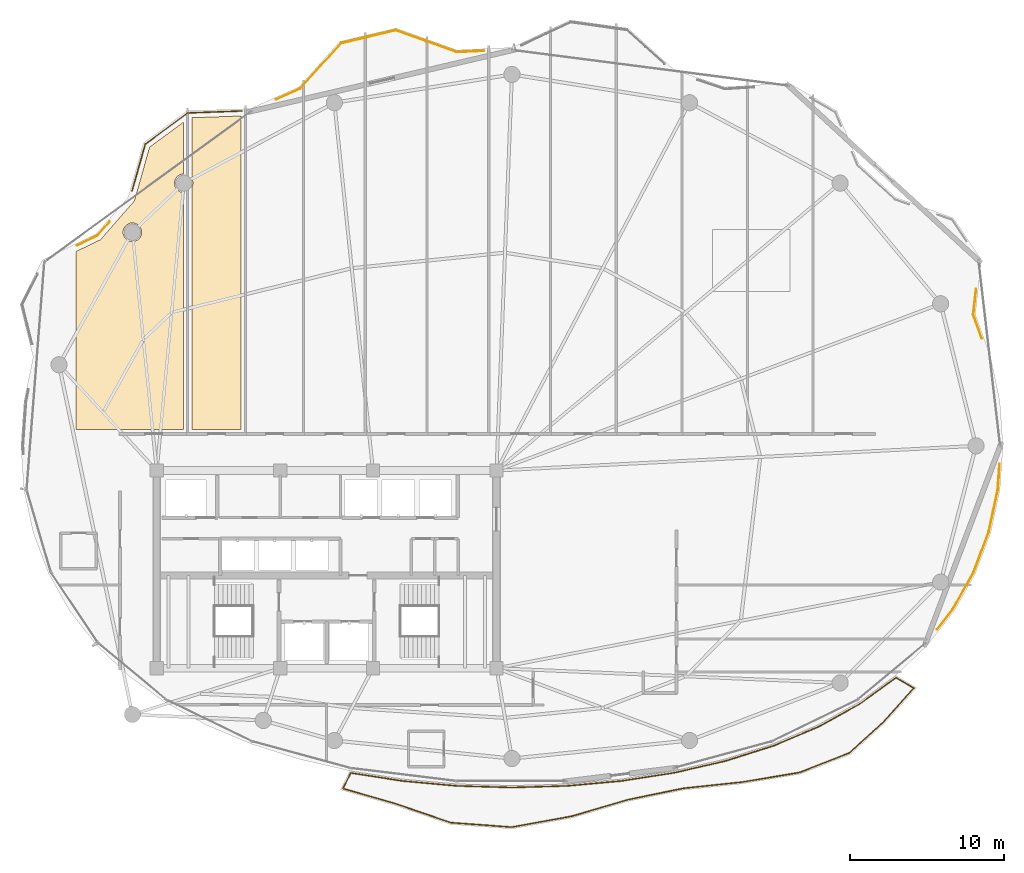
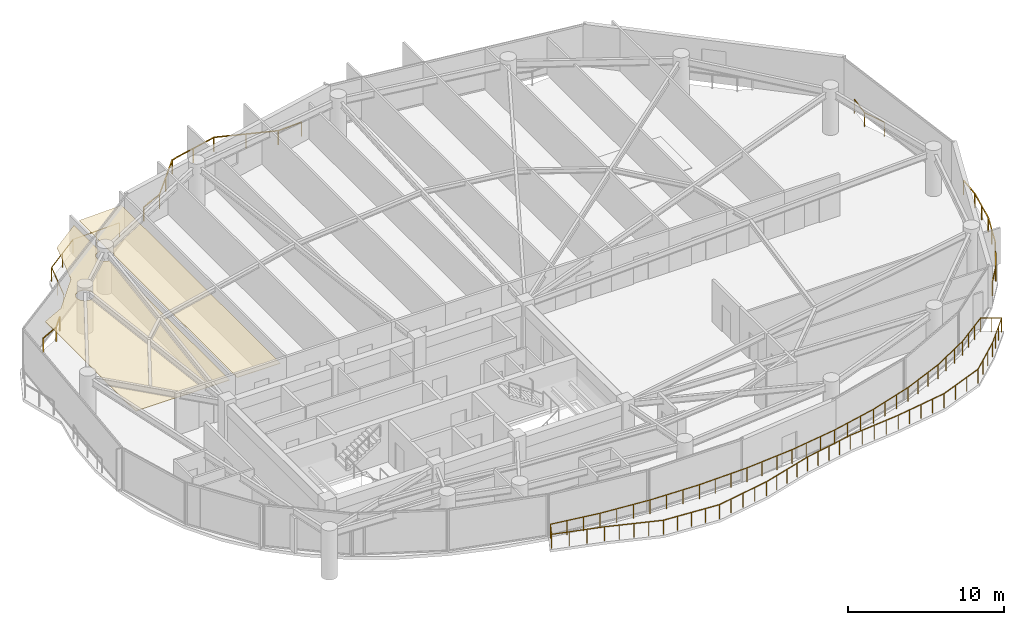
# One storey, part 30 of 31: 6 railings, 2 coverings.
"""IFC4 building model written with IfcOpenShell, lengths in metres."""

from ifc_helpers import new_model, si_unit, direction, frame, origin, origin_2d, place, context, subcontext, project, spatial, polyline, rectangle, outline, extrude, material, layer, layer_set, type_object, element, save


model = new_model("IFC4")

# Units and contexts
model_context = context("Model", 3, precision=1e-05, world=origin(), true_north=direction((0.0, 1.0)))
body_context = subcontext(model_context, "Body", "Model", "MODEL_VIEW")
ifc_project = project(units=[si_unit("LENGTHUNIT", "METRE"), si_unit("AREAUNIT", "SQUARE_METRE"), si_unit("VOLUMEUNIT", "CUBIC_METRE"), si_unit("PLANEANGLEUNIT", "RADIAN"), si_unit("MASSUNIT", "GRAM", prefix="KILO")], contexts=[model_context])

# Site, building, storey
site_placement = place(None, origin())
site = spatial("IfcSite", under=ifc_project, at=site_placement, CompositionType="ELEMENT")
building_placement = place(site_placement, origin())
building = spatial("IfcBuilding", under=site, at=building_placement, Name="Kazevale Care Tower and Concert Hall", CompositionType="ELEMENT")
storey_placement = place(building_placement, frame((0.0, 0.0, 187.199951171875)))
storey = spatial("IfcBuildingStorey", under=building, at=storey_placement, Name="L49", CompositionType="ELEMENT", Elevation=187.199951171875)

# Coverings
ifc_material_1 = material(Name="Acoustic Plaster and Hinoki Wood", Category="wood")
ifc_layer = layer(ifc_material_1, 0.0400390625)
ifc_layer_set = layer_set([ifc_layer], Name="Acoustic Plaster and Hinoki Wood")
covering_type = type_object("IfcCoveringType", Name="Acoustic Perforated Wood-Gypsum Ceiling", PredefinedType="CEILING", material=ifc_layer_set)
covering_1_placement = place(storey_placement, frame((0.0, 0.0, 2.630126953125)))
element("IfcCovering", 1, at=covering_1_placement, inside=storey, type_object=covering_type, Name="clg:L49:1", PredefinedType="CEILING", context=body_context, shape_type="SweptSolid", body=[
    extrude(outline(polyline([(18.35888671875, 51.35302734375), (20.552001953125, 53.861083984375), (21.534912109375, 57.344970703125), (23.719970703125, 58.950927734375), (23.719970703125, 55.612060546875), (23.51806640625, 55.569091796875), (23.322021484375, 55.43798828125), (23.19091796875, 55.241943359375), (23.14501953125, 55.010009765625), (23.19091796875, 54.778076171875), (23.322021484375, 54.58203125), (23.51806640625, 54.450927734375), (23.719970703125, 54.407958984375), (23.719970703125, 39.054931640625), (16.780029296875, 39.054931640625), (16.780029296875, 50.589111328125), (18.35888671875, 51.35302734375)]), holes=[polyline([(21.012939453125, 51.947998046875), (20.923095703125, 52.166015625), (20.756103515625, 52.3330078125), (20.5380859375, 52.423095703125), (20.302001953125, 52.423095703125), (20.083984375, 52.3330078125), (19.9169921875, 52.166015625), (19.826904296875, 51.947998046875), (19.826904296875, 51.7119140625), (19.9169921875, 51.493896484375), (20.083984375, 51.326904296875), (20.302001953125, 51.237060546875), (20.5380859375, 51.237060546875), (20.756103515625, 51.326904296875), (20.923095703125, 51.493896484375), (21.012939453125, 51.7119140625), (21.012939453125, 51.947998046875)])]), origin(), (0.0, 0.0, 1.0), 0.0400390625),
])
covering_2_placement = place(storey_placement, frame((0.0, 0.0, 2.630126953125)))
element("IfcCovering", 2, at=covering_2_placement, inside=storey, type_object=covering_type, Name="clg:L49:2", PredefinedType="CEILING", context=body_context, shape_type="SweptSolid", body=[
    extrude(outline(polyline([(27.469970703125, 59.363037109375), (27.469970703125, 39.054931640625), (24.280029296875, 39.054931640625), (24.280029296875, 54.72412109375), (24.35498046875, 55.010009765625), (24.280029296875, 55.2958984375), (24.280029296875, 59.2470703125), (27.469970703125, 59.363037109375)])), origin(), (0.0, 0.0, 1.0), 0.0400390625),
])

# Railings
ifc_material_2 = material(Name="Anodised Bronze Aluminium and Laminated Glass", Category="aluminium")
railing_type = type_object("IfcRailingType", Name="Balcony and Terrace Balustrade 1120", PredefinedType="BALUSTRADE", material=ifc_material_2)
railing_1_placement = place(storey_placement, frame((16.83203125, 50.968994140625, 0.0)))
element("IfcRailing", 3, at=railing_1_placement, inside=storey, type_object=railing_type, Name="rail:L49:perim:3", PredefinedType="BALUSTRADE", context=body_context, shape_type="SweptSolid", body=[
    extrude(rectangle(XDim=0.048095703125, YDim=0.048095703125, at=origin_2d()), frame((0.0, 0.0, 1.09619140625), z_axis=(0.899880965399, 0.436135584553, 0.0), x_axis=(-0.436135584553, 0.899880965399, 0.0)), (0.0, 0.0, 1.0), 1.476806640625),
    extrude(rectangle(XDim=0.048095703125, YDim=0.048095703125, at=origin_2d()), frame((1.328857421875, 0.64404296875, 1.09619140625), z_axis=(0.658533673371, 0.752551261402, 0.0), x_axis=(-0.752551261402, 0.658533673371, 0.0)), (0.0, 0.0, 1.0), 1.189208984375),
    extrude(rectangle(XDim=0.0419921875, YDim=0.0419921875, at=origin_2d()), origin(), (0.0, 0.0, 1.0), 1.072021484375),
    extrude(rectangle(XDim=0.0419921875, YDim=0.0419921875, at=origin_2d()), frame((1.328857421875, 0.64404296875, 0.0)), (0.0, 0.0, 1.0), 1.072021484375),
    extrude(rectangle(XDim=0.0419921875, YDim=0.0419921875, at=origin_2d()), frame((2.112060546875, 1.5390625, 0.0)), (0.0, 0.0, 1.0), 1.072021484375),
])
railing_2_placement = place(storey_placement, frame((20.403076171875, 54.511962890625, 0.0)))
element("IfcRailing", 4, at=railing_2_placement, inside=storey, type_object=railing_type, Name="rail:L49:perim:4", PredefinedType="BALUSTRADE", context=body_context, shape_type="SweptSolid", body=[
    extrude(rectangle(XDim=0.048095703125, YDim=0.048095703125, at=origin_2d()), frame((0.0, 0.0, 1.09619140625), z_axis=(0.27160216444, 0.962409613559, 0.0), x_axis=(-0.962409613559, 0.27160216444, 0.0)), (0.0, 0.0, 1.0), 3.144287109375),
    extrude(rectangle(XDim=0.048095703125, YDim=0.048095703125, at=origin_2d()), frame((0.85400390625, 3.026123046875, 1.09619140625), z_axis=(0.805881115656, 0.592077382973, 0.0), x_axis=(-0.592077382973, 0.805881115656, 0.0)), (0.0, 0.0, 1.0), 3.40966796875),
    extrude(rectangle(XDim=0.048095703125, YDim=0.048095703125, at=origin_2d()), frame((3.601806640625, 5.044921875, 1.09619140625), z_axis=(0.999339175446, 0.036348485787, 0.0), x_axis=(-0.036348485787, 0.999339175446, 0.0)), (0.0, 0.0, 1.0), 3.499267578125),
    extrude(rectangle(XDim=0.0419921875, YDim=0.0419921875, at=origin_2d()), origin(), (0.0, 0.0, 1.0), 1.072021484375),
    extrude(rectangle(XDim=0.0419921875, YDim=0.0419921875, at=origin_2d()), frame((0.427001953125, 1.51318359375, 0.0)), (0.0, 0.0, 1.0), 1.072021484375),
    extrude(rectangle(XDim=0.0419921875, YDim=0.0419921875, at=origin_2d()), frame((0.85400390625, 3.026123046875, 0.0)), (0.0, 0.0, 1.0), 1.072021484375),
    extrude(rectangle(XDim=0.0419921875, YDim=0.0419921875, at=origin_2d()), frame((2.22802734375, 4.03564453125, 0.0)), (0.0, 0.0, 1.0), 1.072021484375),
    extrude(rectangle(XDim=0.0419921875, YDim=0.0419921875, at=origin_2d()), frame((3.601806640625, 5.044921875, 0.0)), (0.0, 0.0, 1.0), 1.072021484375),
    extrude(rectangle(XDim=0.0419921875, YDim=0.0419921875, at=origin_2d()), frame((5.350341796875, 5.1083984375, 0.0)), (0.0, 0.0, 1.0), 1.072021484375),
    extrude(rectangle(XDim=0.0419921875, YDim=0.0419921875, at=origin_2d()), frame((7.098876953125, 5.172119140625, 0.0)), (0.0, 0.0, 1.0), 1.072021484375),
])
railing_3_placement = place(storey_placement, frame((29.737060546875, 60.43505859375, 0.0)))
element("IfcRailing", 5, at=railing_3_placement, inside=storey, type_object=railing_type, Name="rail:L49:perim:5", PredefinedType="BALUSTRADE", context=body_context, shape_type="SweptSolid", body=[
    extrude(rectangle(XDim=0.048095703125, YDim=0.048095703125, at=origin_2d()), frame((0.0, 0.0, 1.09619140625), z_axis=(0.912729386392, 0.408564642641, 0.0), x_axis=(-0.408564642641, 0.912729386392, 0.0)), (0.0, 0.0, 1.0), 1.6982421875),
    extrude(rectangle(XDim=0.048095703125, YDim=0.048095703125, at=origin_2d()), frame((1.550048828125, 0.69384765625, 1.09619140625), z_axis=(0.668500240789, 0.743711925456, 0.0), x_axis=(-0.743711925456, 0.668500240789, 0.0)), (0.0, 0.0, 1.0), 3.950439453125),
    extrude(rectangle(XDim=0.048095703125, YDim=0.048095703125, at=origin_2d()), frame((4.19091796875, 3.6318359375, 1.09619140625), z_axis=(0.97312090779, 0.2302948085, 0.0), x_axis=(-0.2302948085, 0.97312090779, 0.0)), (0.0, 0.0, 1.0), 3.652099609375),
    extrude(rectangle(XDim=0.048095703125, YDim=0.048095703125, at=origin_2d()), frame((7.744873046875, 4.472900390625, 1.09619140625), z_axis=(0.941350252636, -0.337431032749, 0.0), x_axis=(0.337431032749, 0.941350252636, 0.0)), (0.0, 0.0, 1.0), 4.18115234375),
    extrude(rectangle(XDim=0.048095703125, YDim=0.048095703125, at=origin_2d()), frame((11.680908203125, 3.06201171875, 1.09619140625), z_axis=(0.998977358959, 0.045213231333, 0.0), x_axis=(-0.045213231333, 0.998977358959, 0.0)), (0.0, 0.0, 1.0), 1.765625),
    extrude(rectangle(XDim=0.0419921875, YDim=0.0419921875, at=origin_2d()), origin(), (0.0, 0.0, 1.0), 1.072021484375),
    extrude(rectangle(XDim=0.0419921875, YDim=0.0419921875, at=origin_2d()), frame((1.550048828125, 0.69384765625, 0.0)), (0.0, 0.0, 1.0), 1.072021484375),
    extrude(rectangle(XDim=0.0419921875, YDim=0.0419921875, at=origin_2d()), frame((2.87060546875, 2.162841796875, 0.0)), (0.0, 0.0, 1.0), 1.072021484375),
    extrude(rectangle(XDim=0.0419921875, YDim=0.0419921875, at=origin_2d()), frame((4.19091796875, 3.6318359375, 0.0)), (0.0, 0.0, 1.0), 1.072021484375),
    extrude(rectangle(XDim=0.0419921875, YDim=0.0419921875, at=origin_2d()), frame((5.9677734375, 4.05224609375, 0.0)), (0.0, 0.0, 1.0), 1.072021484375),
    extrude(rectangle(XDim=0.0419921875, YDim=0.0419921875, at=origin_2d()), frame((7.744873046875, 4.472900390625, 0.0)), (0.0, 0.0, 1.0), 1.072021484375),
    extrude(rectangle(XDim=0.0419921875, YDim=0.0419921875, at=origin_2d()), frame((9.712890625, 3.767578125, 0.0)), (0.0, 0.0, 1.0), 1.072021484375),
    extrude(rectangle(XDim=0.0419921875, YDim=0.0419921875, at=origin_2d()), frame((11.680908203125, 3.06201171875, 0.0)), (0.0, 0.0, 1.0), 1.072021484375),
    extrude(rectangle(XDim=0.0419921875, YDim=0.0419921875, at=origin_2d()), frame((13.44482421875, 3.141845703125, 0.0)), (0.0, 0.0, 1.0), 1.072021484375),
])
railing_4_placement = place(storey_placement, frame((76.576904296875, 36.81103515625, 0.0)))
element("IfcRailing", 6, at=railing_4_placement, inside=storey, type_object=railing_type, Name="rail:L49:perim:11", PredefinedType="BALUSTRADE", context=body_context, shape_type="SweptSolid", body=[
    extrude(rectangle(XDim=0.048095703125, YDim=0.048095703125, at=origin_2d()), frame((0.0, 0.0, 1.09619140625), z_axis=(-0.069683140934, -0.997569175481, 0.0), x_axis=(0.997569175481, -0.069683140934, 0.0)), (0.0, 0.0, 1.0), 1.664306640625),
    extrude(rectangle(XDim=0.048095703125, YDim=0.048095703125, at=origin_2d()), frame((-0.115966796875, -1.66015625, 1.09619140625), z_axis=(-0.210886672564, -0.97751051725, 0.0), x_axis=(0.97751051725, -0.210886672564, 0.0)), (0.0, 0.0, 1.0), 2.81201171875),
    extrude(rectangle(XDim=0.048095703125, YDim=0.048095703125, at=origin_2d()), frame((-0.708984375, -4.408935546875, 1.09619140625), z_axis=(-0.352914941795, -0.935655408715, 0.0), x_axis=(0.935655408715, -0.352914941795, 0.0)), (0.0, 0.0, 1.0), 2.77685546875),
    extrude(rectangle(XDim=0.048095703125, YDim=0.048095703125, at=origin_2d()), frame((-1.68896484375, -7.007080078125, 1.09619140625), z_axis=(-0.490131162051, -0.871648692987, 0.0), x_axis=(0.871648692987, -0.490131162051, 0.0)), (0.0, 0.0, 1.0), 2.762451171875),
    extrude(rectangle(XDim=0.048095703125, YDim=0.048095703125, at=origin_2d()), frame((-3.04296875, -9.4150390625, 1.09619140625), z_axis=(-0.615507243123, -0.788131228707, 0.0), x_axis=(0.788131228707, -0.615507243123, 0.0)), (0.0, 0.0, 1.0), 1.6279296875),
    extrude(rectangle(XDim=0.0419921875, YDim=0.0419921875, at=origin_2d()), origin(), (0.0, 0.0, 1.0), 1.072021484375),
    extrude(rectangle(XDim=0.0419921875, YDim=0.0419921875, at=origin_2d()), frame((-0.115966796875, -1.66015625, 0.0)), (0.0, 0.0, 1.0), 1.072021484375),
    extrude(rectangle(XDim=0.0419921875, YDim=0.0419921875, at=origin_2d()), frame((-0.41259765625, -3.03466796875, 0.0)), (0.0, 0.0, 1.0), 1.072021484375),
    extrude(rectangle(XDim=0.0419921875, YDim=0.0419921875, at=origin_2d()), frame((-0.708984375, -4.408935546875, 0.0)), (0.0, 0.0, 1.0), 1.072021484375),
    extrude(rectangle(XDim=0.0419921875, YDim=0.0419921875, at=origin_2d()), frame((-1.198974609375, -5.7080078125, 0.0)), (0.0, 0.0, 1.0), 1.072021484375),
    extrude(rectangle(XDim=0.0419921875, YDim=0.0419921875, at=origin_2d()), frame((-1.68896484375, -7.007080078125, 0.0)), (0.0, 0.0, 1.0), 1.072021484375),
    extrude(rectangle(XDim=0.0419921875, YDim=0.0419921875, at=origin_2d()), frame((-2.365966796875, -8.2109375, 0.0)), (0.0, 0.0, 1.0), 1.072021484375),
    extrude(rectangle(XDim=0.0419921875, YDim=0.0419921875, at=origin_2d()), frame((-3.04296875, -9.4150390625, 0.0)), (0.0, 0.0, 1.0), 1.072021484375),
    extrude(rectangle(XDim=0.0419921875, YDim=0.0419921875, at=origin_2d()), frame((-4.044921875, -10.697998046875, 0.0)), (0.0, 0.0, 1.0), 1.072021484375),
])
railing_5_placement = place(storey_placement, frame((75.054931640625, 48.138916015625, 0.0)))
element("IfcRailing", 7, at=railing_5_placement, inside=storey, type_object=railing_type, Name="rail:L49:perim:12", PredefinedType="BALUSTRADE", context=body_context, shape_type="SweptSolid", body=[
    extrude(rectangle(XDim=0.048095703125, YDim=0.048095703125, at=origin_2d()), frame((0.0, 0.0, 1.09619140625), z_axis=(-0.110627099756, -0.993861984784, 0.0), x_axis=(0.993861984784, -0.110627099756, 0.0)), (0.0, 0.0, 1.0), 1.64404296875),
    extrude(rectangle(XDim=0.048095703125, YDim=0.048095703125, at=origin_2d()), frame((-0.181884765625, -1.634033203125, 1.09619140625), z_axis=(0.334582750454, -0.942366374134, 0.0), x_axis=(0.942366374134, 0.334582750454, 0.0)), (0.0, 0.0, 1.0), 1.65869140625),
    extrude(rectangle(XDim=0.0419921875, YDim=0.0419921875, at=origin_2d()), origin(), (0.0, 0.0, 1.0), 1.072021484375),
    extrude(rectangle(XDim=0.0419921875, YDim=0.0419921875, at=origin_2d()), frame((-0.181884765625, -1.634033203125, 0.0)), (0.0, 0.0, 1.0), 1.072021484375),
    extrude(rectangle(XDim=0.0419921875, YDim=0.0419921875, at=origin_2d()), frame((0.373046875, -3.197021484375, 0.0)), (0.0, 0.0, 1.0), 1.072021484375),
])
railing_6_placement = place(storey_placement, frame((34.56298828125, 16.819091796875, 0.0)))
element("IfcRailing", 8, at=railing_6_placement, inside=storey, type_object=railing_type, Name="rail:L49:balcony", PredefinedType="BALUSTRADE", context=body_context, shape_type="SweptSolid", body=[
    extrude(rectangle(XDim=0.048095703125, YDim=0.048095703125, at=origin_2d()), frame((0.0, 0.0, 1.09619140625), z_axis=(0.988093340761, -0.15385561395, 0.0), x_axis=(0.15385561395, 0.988093340761, 0.0)), (0.0, 0.0, 1.0), 3.38623046875),
    extrude(rectangle(XDim=0.048095703125, YDim=0.048095703125, at=origin_2d()), frame((3.345947265625, -0.52099609375, 1.09619140625), z_axis=(0.995947899496, -0.089932093766, 0.0), x_axis=(0.089932093766, 0.995947899496, 0.0)), (0.0, 0.0, 1.0), 3.537353515625),
    extrude(rectangle(XDim=0.048095703125, YDim=0.048095703125, at=origin_2d()), frame((6.868896484375, -0.839111328125, 1.09619140625), z_axis=(0.999567458851, -0.029409100739, 0.0), x_axis=(0.029409100739, 0.999567458851, 0.0)), (0.0, 0.0, 1.0), 3.569580078125),
    extrude(rectangle(XDim=0.048095703125, YDim=0.048095703125, at=origin_2d()), frame((10.43701171875, -0.944091796875, 1.09619140625), z_axis=(0.999567458851, 0.029409100739, 0.0), x_axis=(-0.029409100739, 0.999567458851, 0.0)), (0.0, 0.0, 1.0), 3.569580078125),
    extrude(rectangle(XDim=0.048095703125, YDim=0.048095703125, at=origin_2d()), frame((14.005126953125, -0.839111328125, 1.09619140625), z_axis=(0.995947899496, 0.089932093766, 0.0), x_axis=(-0.089932093766, 0.995947899496, 0.0)), (0.0, 0.0, 1.0), 3.537353515625),
    extrude(rectangle(XDim=0.048095703125, YDim=0.048095703125, at=origin_2d()), frame((17.528076171875, -0.52099609375, 1.09619140625), z_axis=(0.988098216207, 0.153824299539, 0.0), x_axis=(-0.153824299539, 0.988098216207, 0.0)), (0.0, 0.0, 1.0), 3.4775390625),
    extrude(rectangle(XDim=0.048095703125, YDim=0.048095703125, at=origin_2d()), frame((20.964111328125, 0.013916015625, 1.09619140625), z_axis=(0.974534254558, 0.224238682418, 0.0), x_axis=(-0.224238682418, 0.974534254558, 0.0)), (0.0, 0.0, 1.0), 3.389404296875),
    extrude(rectangle(XDim=0.048095703125, YDim=0.048095703125, at=origin_2d()), frame((24.26708984375, 0.77392578125, 1.09619140625), z_axis=(0.953239514235, 0.302215864078, 0.0), x_axis=(-0.302215864078, 0.953239514235, 0.0)), (0.0, 0.0, 1.0), 3.285400390625),
    extrude(rectangle(XDim=0.048095703125, YDim=0.048095703125, at=origin_2d()), frame((27.39892578125, 1.766845703125, 1.09619140625), z_axis=(0.921006567992, 0.389547046858, 0.0), x_axis=(-0.389547046858, 0.921006567992, 0.0)), (0.0, 0.0, 1.0), 3.170654296875),
    extrude(rectangle(XDim=0.048095703125, YDim=0.048095703125, at=origin_2d()), frame((30.319091796875, 3.001953125, 1.09619140625), z_axis=(0.874149737903, 0.485656499724, 0.0), x_axis=(-0.485656499724, 0.874149737903, 0.0)), (0.0, 0.0, 1.0), 3.055419921875),
    extrude(rectangle(XDim=0.048095703125, YDim=0.048095703125, at=origin_2d()), frame((32.989990234375, 4.48583984375, 1.09619140625), z_axis=(0.809111467971, 0.587655198562, 0.0), x_axis=(-0.587655198562, 0.809111467971, 0.0)), (0.0, 0.0, 1.0), 2.867431640625),
    extrude(rectangle(XDim=0.048095703125, YDim=0.048095703125, at=origin_2d()), frame((35.31005859375, 6.1708984375, 1.09619140625), z_axis=(0.858393665288, -0.512991535402, 0.0), x_axis=(0.512991535402, 0.858393665288, 0.0)), (0.0, 0.0, 1.0), 1.33740234375),
    extrude(rectangle(XDim=0.048095703125, YDim=0.048095703125, at=origin_2d()), frame((36.4580078125, 5.48486328125, 1.09619140625), z_axis=(-0.668384241521, -0.743816177349, 0.0), x_axis=(0.743816177349, -0.668384241521, 0.0)), (0.0, 0.0, 1.0), 2.8125),
    extrude(rectangle(XDim=0.048095703125, YDim=0.048095703125, at=origin_2d()), frame((34.578125, 3.392822265625, 1.09619140625), z_axis=(-0.737052488567, -0.675835504467, 0.0), x_axis=(0.675835504467, -0.737052488567, 0.0)), (0.0, 0.0, 1.0), 3.0908203125),
    extrude(rectangle(XDim=0.048095703125, YDim=0.048095703125, at=origin_2d()), frame((32.300048828125, 1.303955078125, 1.09619140625), z_axis=(-0.930836510622, -0.365435891084, 0.0), x_axis=(0.365435891084, -0.930836510622, 0.0)), (0.0, 0.0, 1.0), 3.489501953125),
    extrude(rectangle(XDim=0.048095703125, YDim=0.048095703125, at=origin_2d()), frame((29.052001953125, 0.02880859375, 1.09619140625), z_axis=(-0.986416538605, -0.164263241072, 0.0), x_axis=(0.164263241072, -0.986416538605, 0.0)), (0.0, 0.0, 1.0), 3.79150390625),
    extrude(rectangle(XDim=0.048095703125, YDim=0.048095703125, at=origin_2d()), frame((25.31201171875, -0.593994140625, 1.09619140625), z_axis=(-0.994432821465, -0.105372499228, 0.0), x_axis=(0.105372499228, -0.994432821465, 0.0)), (0.0, 0.0, 1.0), 3.7880859375),
    extrude(rectangle(XDim=0.048095703125, YDim=0.048095703125, at=origin_2d()), frame((21.544921875, -0.9931640625, 1.09619140625), z_axis=(-0.979808858255, -0.199936493129, 0.0), x_axis=(0.199936493129, -0.979808858255, 0.0)), (0.0, 0.0, 1.0), 3.660888671875),
    extrude(rectangle(XDim=0.048095703125, YDim=0.048095703125, at=origin_2d()), frame((17.9580078125, -1.72509765625, 1.09619140625), z_axis=(-0.959075433018, -0.283150690942, 0.0), x_axis=(0.283150690942, -0.959075433018, 0.0)), (0.0, 0.0, 1.0), 3.7861328125),
    extrude(rectangle(XDim=0.048095703125, YDim=0.048095703125, at=origin_2d()), frame((14.326904296875, -2.797119140625, 1.09619140625), z_axis=(-0.983798812619, -0.179276033782, 0.0), x_axis=(0.179276033782, -0.983798812619, 0.0)), (0.0, 0.0, 1.0), 3.960205078125),
    extrude(rectangle(XDim=0.048095703125, YDim=0.048095703125, at=origin_2d()), frame((10.430908203125, -3.507080078125, 1.09619140625), z_axis=(-0.997342128338, 0.072860682418, 0.0), x_axis=(-0.072860682418, -0.997342128338, 0.0)), (0.0, 0.0, 1.0), 3.96728515625),
    extrude(rectangle(XDim=0.048095703125, YDim=0.048095703125, at=origin_2d()), frame((6.47412109375, -3.218017578125, 1.09619140625), z_axis=(-0.945671323104, 0.325124204971, 0.0), x_axis=(-0.325124204971, -0.945671323104, 0.0)), (0.0, 0.0, 1.0), 3.838623046875),
    extrude(rectangle(XDim=0.048095703125, YDim=0.048095703125, at=origin_2d()), frame((2.843994140625, -1.969970703125, 1.09619140625), z_axis=(-0.961264286411, 0.275628321605, 0.0), x_axis=(-0.275628321605, -0.961264286411, 0.0)), (0.0, 0.0, 1.0), 3.48291015625),
    extrude(rectangle(XDim=0.048095703125, YDim=0.048095703125, at=origin_2d()), frame((-0.50390625, -1.010009765625, 1.09619140625), z_axis=(0.446434760748, 0.894816184697, 0.0), x_axis=(-0.894816184697, 0.446434760748, 0.0)), (0.0, 0.0, 1.0), 1.128662109375),
    extrude(rectangle(XDim=0.0419921875, YDim=0.0419921875, at=origin_2d()), origin(), (0.0, 0.0, 1.0), 1.072021484375),
    extrude(rectangle(XDim=0.0419921875, YDim=0.0419921875, at=origin_2d()), frame((1.115234375, -0.173583984375, 0.0)), (0.0, 0.0, 1.0), 1.072021484375),
    extrude(rectangle(XDim=0.0419921875, YDim=0.0419921875, at=origin_2d()), frame((2.230712890625, -0.347412109375, 0.0)), (0.0, 0.0, 1.0), 1.072021484375),
    extrude(rectangle(XDim=0.0419921875, YDim=0.0419921875, at=origin_2d()), frame((3.345947265625, -0.52099609375, 0.0)), (0.0, 0.0, 1.0), 1.072021484375),
    extrude(rectangle(XDim=0.0419921875, YDim=0.0419921875, at=origin_2d()), frame((4.520263671875, -0.626953125, 0.0)), (0.0, 0.0, 1.0), 1.072021484375),
    extrude(rectangle(XDim=0.0419921875, YDim=0.0419921875, at=origin_2d()), frame((5.694580078125, -0.733154296875, 0.0)), (0.0, 0.0, 1.0), 1.072021484375),
    extrude(rectangle(XDim=0.0419921875, YDim=0.0419921875, at=origin_2d()), frame((6.868896484375, -0.839111328125, 0.0)), (0.0, 0.0, 1.0), 1.072021484375),
    extrude(rectangle(XDim=0.0419921875, YDim=0.0419921875, at=origin_2d()), frame((8.058349609375, -0.8740234375, 0.0)), (0.0, 0.0, 1.0), 1.072021484375),
    extrude(rectangle(XDim=0.0419921875, YDim=0.0419921875, at=origin_2d()), frame((9.24755859375, -0.9091796875, 0.0)), (0.0, 0.0, 1.0), 1.072021484375),
    extrude(rectangle(XDim=0.0419921875, YDim=0.0419921875, at=origin_2d()), frame((10.43701171875, -0.944091796875, 0.0)), (0.0, 0.0, 1.0), 1.072021484375),
    extrude(rectangle(XDim=0.0419921875, YDim=0.0419921875, at=origin_2d()), frame((11.62646484375, -0.9091796875, 0.0)), (0.0, 0.0, 1.0), 1.072021484375),
    extrude(rectangle(XDim=0.0419921875, YDim=0.0419921875, at=origin_2d()), frame((12.815673828125, -0.8740234375, 0.0)), (0.0, 0.0, 1.0), 1.072021484375),
    extrude(rectangle(XDim=0.0419921875, YDim=0.0419921875, at=origin_2d()), frame((14.005126953125, -0.839111328125, 0.0)), (0.0, 0.0, 1.0), 1.072021484375),
    extrude(rectangle(XDim=0.0419921875, YDim=0.0419921875, at=origin_2d()), frame((15.179443359375, -0.733154296875, 0.0)), (0.0, 0.0, 1.0), 1.072021484375),
    extrude(rectangle(XDim=0.0419921875, YDim=0.0419921875, at=origin_2d()), frame((16.353759765625, -0.626953125, 0.0)), (0.0, 0.0, 1.0), 1.072021484375),
    extrude(rectangle(XDim=0.0419921875, YDim=0.0419921875, at=origin_2d()), frame((17.528076171875, -0.52099609375, 0.0)), (0.0, 0.0, 1.0), 1.072021484375),
    extrude(rectangle(XDim=0.0419921875, YDim=0.0419921875, at=origin_2d()), frame((18.67333984375, -0.3427734375, 0.0)), (0.0, 0.0, 1.0), 1.072021484375),
    extrude(rectangle(XDim=0.0419921875, YDim=0.0419921875, at=origin_2d()), frame((19.81884765625, -0.164306640625, 0.0)), (0.0, 0.0, 1.0), 1.072021484375),
    extrude(rectangle(XDim=0.0419921875, YDim=0.0419921875, at=origin_2d()), frame((20.964111328125, 0.013916015625, 0.0)), (0.0, 0.0, 1.0), 1.072021484375),
    extrude(rectangle(XDim=0.0419921875, YDim=0.0419921875, at=origin_2d()), frame((22.065185546875, 0.267333984375, 0.0)), (0.0, 0.0, 1.0), 1.072021484375),
    extrude(rectangle(XDim=0.0419921875, YDim=0.0419921875, at=origin_2d()), frame((23.166015625, 0.5205078125, 0.0)), (0.0, 0.0, 1.0), 1.072021484375),
    extrude(rectangle(XDim=0.0419921875, YDim=0.0419921875, at=origin_2d()), frame((24.26708984375, 0.77392578125, 0.0)), (0.0, 0.0, 1.0), 1.072021484375),
    extrude(rectangle(XDim=0.0419921875, YDim=0.0419921875, at=origin_2d()), frame((25.31103515625, 1.10498046875, 0.0)), (0.0, 0.0, 1.0), 1.072021484375),
    extrude(rectangle(XDim=0.0419921875, YDim=0.0419921875, at=origin_2d()), frame((26.35498046875, 1.435791015625, 0.0)), (0.0, 0.0, 1.0), 1.072021484375),
    extrude(rectangle(XDim=0.0419921875, YDim=0.0419921875, at=origin_2d()), frame((27.39892578125, 1.766845703125, 0.0)), (0.0, 0.0, 1.0), 1.072021484375),
    extrude(rectangle(XDim=0.0419921875, YDim=0.0419921875, at=origin_2d()), frame((28.372314453125, 2.178466796875, 0.0)), (0.0, 0.0, 1.0), 1.072021484375),
    extrude(rectangle(XDim=0.0419921875, YDim=0.0419921875, at=origin_2d()), frame((29.345703125, 2.59033203125, 0.0)), (0.0, 0.0, 1.0), 1.072021484375),
    extrude(rectangle(XDim=0.0419921875, YDim=0.0419921875, at=origin_2d()), frame((30.319091796875, 3.001953125, 0.0)), (0.0, 0.0, 1.0), 1.072021484375),
    extrude(rectangle(XDim=0.0419921875, YDim=0.0419921875, at=origin_2d()), frame((31.20947265625, 3.49658203125, 0.0)), (0.0, 0.0, 1.0), 1.072021484375),
    extrude(rectangle(XDim=0.0419921875, YDim=0.0419921875, at=origin_2d()), frame((32.099609375, 3.9912109375, 0.0)), (0.0, 0.0, 1.0), 1.072021484375),
    extrude(rectangle(XDim=0.0419921875, YDim=0.0419921875, at=origin_2d()), frame((32.989990234375, 4.48583984375, 0.0)), (0.0, 0.0, 1.0), 1.072021484375),
    extrude(rectangle(XDim=0.0419921875, YDim=0.0419921875, at=origin_2d()), frame((33.763427734375, 5.047607421875, 0.0)), (0.0, 0.0, 1.0), 1.072021484375),
    extrude(rectangle(XDim=0.0419921875, YDim=0.0419921875, at=origin_2d()), frame((34.53662109375, 5.609130859375, 0.0)), (0.0, 0.0, 1.0), 1.072021484375),
    extrude(rectangle(XDim=0.0419921875, YDim=0.0419921875, at=origin_2d()), frame((35.31005859375, 6.1708984375, 0.0)), (0.0, 0.0, 1.0), 1.072021484375),
    extrude(rectangle(XDim=0.0419921875, YDim=0.0419921875, at=origin_2d()), frame((35.884033203125, 5.827880859375, 0.0)), (0.0, 0.0, 1.0), 1.072021484375),
    extrude(rectangle(XDim=0.0419921875, YDim=0.0419921875, at=origin_2d()), frame((36.4580078125, 5.48486328125, 0.0)), (0.0, 0.0, 1.0), 1.072021484375),
    extrude(rectangle(XDim=0.0419921875, YDim=0.0419921875, at=origin_2d()), frame((35.831298828125, 4.78759765625, 0.0)), (0.0, 0.0, 1.0), 1.072021484375),
    extrude(rectangle(XDim=0.0419921875, YDim=0.0419921875, at=origin_2d()), frame((35.204833984375, 4.090087890625, 0.0)), (0.0, 0.0, 1.0), 1.072021484375),
    extrude(rectangle(XDim=0.0419921875, YDim=0.0419921875, at=origin_2d()), frame((34.578125, 3.392822265625, 0.0)), (0.0, 0.0, 1.0), 1.072021484375),
    extrude(rectangle(XDim=0.0419921875, YDim=0.0419921875, at=origin_2d()), frame((33.81884765625, 2.696533203125, 0.0)), (0.0, 0.0, 1.0), 1.072021484375),
    extrude(rectangle(XDim=0.0419921875, YDim=0.0419921875, at=origin_2d()), frame((33.059326171875, 2.000244140625, 0.0)), (0.0, 0.0, 1.0), 1.072021484375),
    extrude(rectangle(XDim=0.0419921875, YDim=0.0419921875, at=origin_2d()), frame((32.300048828125, 1.303955078125, 0.0)), (0.0, 0.0, 1.0), 1.072021484375),
    extrude(rectangle(XDim=0.0419921875, YDim=0.0419921875, at=origin_2d()), frame((31.21728515625, 0.87890625, 0.0)), (0.0, 0.0, 1.0), 1.072021484375),
    extrude(rectangle(XDim=0.0419921875, YDim=0.0419921875, at=origin_2d()), frame((30.134765625, 0.453857421875, 0.0)), (0.0, 0.0, 1.0), 1.072021484375),
    extrude(rectangle(XDim=0.0419921875, YDim=0.0419921875, at=origin_2d()), frame((29.052001953125, 0.02880859375, 0.0)), (0.0, 0.0, 1.0), 1.072021484375),
    extrude(rectangle(XDim=0.0419921875, YDim=0.0419921875, at=origin_2d()), frame((28.116943359375, -0.126953125, 0.0)), (0.0, 0.0, 1.0), 1.072021484375),
    extrude(rectangle(XDim=0.0419921875, YDim=0.0419921875, at=origin_2d()), frame((27.18212890625, -0.28271484375, 0.0)), (0.0, 0.0, 1.0), 1.072021484375),
    extrude(rectangle(XDim=0.0419921875, YDim=0.0419921875, at=origin_2d()), frame((26.2470703125, -0.438232421875, 0.0)), (0.0, 0.0, 1.0), 1.072021484375),
    extrude(rectangle(XDim=0.0419921875, YDim=0.0419921875, at=origin_2d()), frame((25.31201171875, -0.593994140625, 0.0)), (0.0, 0.0, 1.0), 1.072021484375),
    extrude(rectangle(XDim=0.0419921875, YDim=0.0419921875, at=origin_2d()), frame((24.3701171875, -0.69384765625, 0.0)), (0.0, 0.0, 1.0), 1.072021484375),
    extrude(rectangle(XDim=0.0419921875, YDim=0.0419921875, at=origin_2d()), frame((23.428466796875, -0.79345703125, 0.0)), (0.0, 0.0, 1.0), 1.072021484375),
    extrude(rectangle(XDim=0.0419921875, YDim=0.0419921875, at=origin_2d()), frame((22.48681640625, -0.893310546875, 0.0)), (0.0, 0.0, 1.0), 1.072021484375),
    extrude(rectangle(XDim=0.0419921875, YDim=0.0419921875, at=origin_2d()), frame((21.544921875, -0.9931640625, 0.0)), (0.0, 0.0, 1.0), 1.072021484375),
    extrude(rectangle(XDim=0.0419921875, YDim=0.0419921875, at=origin_2d()), frame((20.648193359375, -1.17626953125, 0.0)), (0.0, 0.0, 1.0), 1.072021484375),
    extrude(rectangle(XDim=0.0419921875, YDim=0.0419921875, at=origin_2d()), frame((19.75146484375, -1.359130859375, 0.0)), (0.0, 0.0, 1.0), 1.072021484375),
    extrude(rectangle(XDim=0.0419921875, YDim=0.0419921875, at=origin_2d()), frame((18.854736328125, -1.5419921875, 0.0)), (0.0, 0.0, 1.0), 1.072021484375),
    extrude(rectangle(XDim=0.0419921875, YDim=0.0419921875, at=origin_2d()), frame((17.9580078125, -1.72509765625, 0.0)), (0.0, 0.0, 1.0), 1.072021484375),
    extrude(rectangle(XDim=0.0419921875, YDim=0.0419921875, at=origin_2d()), frame((17.05029296875, -1.9931640625, 0.0)), (0.0, 0.0, 1.0), 1.072021484375),
    extrude(rectangle(XDim=0.0419921875, YDim=0.0419921875, at=origin_2d()), frame((16.142578125, -2.26123046875, 0.0)), (0.0, 0.0, 1.0), 1.072021484375),
    extrude(rectangle(XDim=0.0419921875, YDim=0.0419921875, at=origin_2d()), frame((15.234619140625, -2.529052734375, 0.0)), (0.0, 0.0, 1.0), 1.072021484375),
    extrude(rectangle(XDim=0.0419921875, YDim=0.0419921875, at=origin_2d()), frame((14.326904296875, -2.797119140625, 0.0)), (0.0, 0.0, 1.0), 1.072021484375),
    extrude(rectangle(XDim=0.0419921875, YDim=0.0419921875, at=origin_2d()), frame((13.35302734375, -2.974609375, 0.0)), (0.0, 0.0, 1.0), 1.072021484375),
    extrude(rectangle(XDim=0.0419921875, YDim=0.0419921875, at=origin_2d()), frame((12.37890625, -3.152099609375, 0.0)), (0.0, 0.0, 1.0), 1.072021484375),
    extrude(rectangle(XDim=0.0419921875, YDim=0.0419921875, at=origin_2d()), frame((11.40478515625, -3.32958984375, 0.0)), (0.0, 0.0, 1.0), 1.072021484375),
    extrude(rectangle(XDim=0.0419921875, YDim=0.0419921875, at=origin_2d()), frame((10.430908203125, -3.507080078125, 0.0)), (0.0, 0.0, 1.0), 1.072021484375),
    extrude(rectangle(XDim=0.0419921875, YDim=0.0419921875, at=origin_2d()), frame((9.441650390625, -3.434814453125, 0.0)), (0.0, 0.0, 1.0), 1.072021484375),
    extrude(rectangle(XDim=0.0419921875, YDim=0.0419921875, at=origin_2d()), frame((8.45263671875, -3.362548828125, 0.0)), (0.0, 0.0, 1.0), 1.072021484375),
    extrude(rectangle(XDim=0.0419921875, YDim=0.0419921875, at=origin_2d()), frame((7.46337890625, -3.290283203125, 0.0)), (0.0, 0.0, 1.0), 1.072021484375),
    extrude(rectangle(XDim=0.0419921875, YDim=0.0419921875, at=origin_2d()), frame((6.47412109375, -3.218017578125, 0.0)), (0.0, 0.0, 1.0), 1.072021484375),
    extrude(rectangle(XDim=0.0419921875, YDim=0.0419921875, at=origin_2d()), frame((5.566650390625, -2.906005859375, 0.0)), (0.0, 0.0, 1.0), 1.072021484375),
    extrude(rectangle(XDim=0.0419921875, YDim=0.0419921875, at=origin_2d()), frame((4.6591796875, -2.593994140625, 0.0)), (0.0, 0.0, 1.0), 1.072021484375),
    extrude(rectangle(XDim=0.0419921875, YDim=0.0419921875, at=origin_2d()), frame((3.75146484375, -2.281982421875, 0.0)), (0.0, 0.0, 1.0), 1.072021484375),
    extrude(rectangle(XDim=0.0419921875, YDim=0.0419921875, at=origin_2d()), frame((2.843994140625, -1.969970703125, 0.0)), (0.0, 0.0, 1.0), 1.072021484375),
    extrude(rectangle(XDim=0.0419921875, YDim=0.0419921875, at=origin_2d()), frame((1.72802734375, -1.64990234375, 0.0)), (0.0, 0.0, 1.0), 1.072021484375),
    extrude(rectangle(XDim=0.0419921875, YDim=0.0419921875, at=origin_2d()), frame((0.612060546875, -1.330078125, 0.0)), (0.0, 0.0, 1.0), 1.072021484375),
    extrude(rectangle(XDim=0.0419921875, YDim=0.0419921875, at=origin_2d()), frame((-0.50390625, -1.010009765625, 0.0)), (0.0, 0.0, 1.0), 1.072021484375),
])

save(model, "model.ifc")
